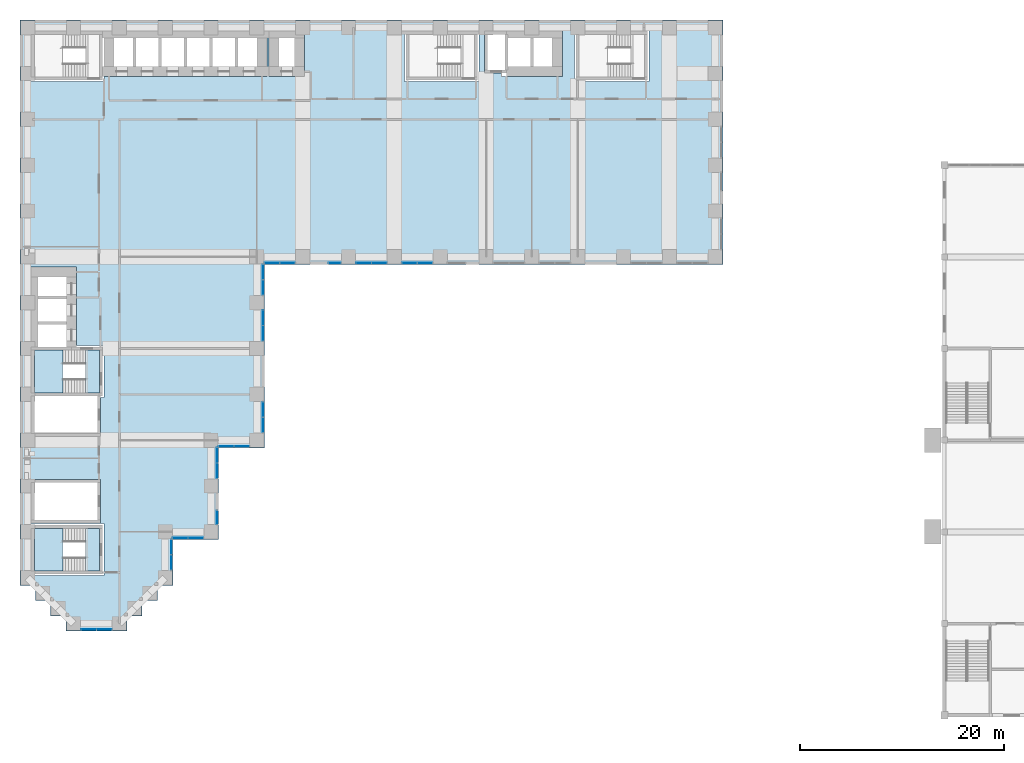
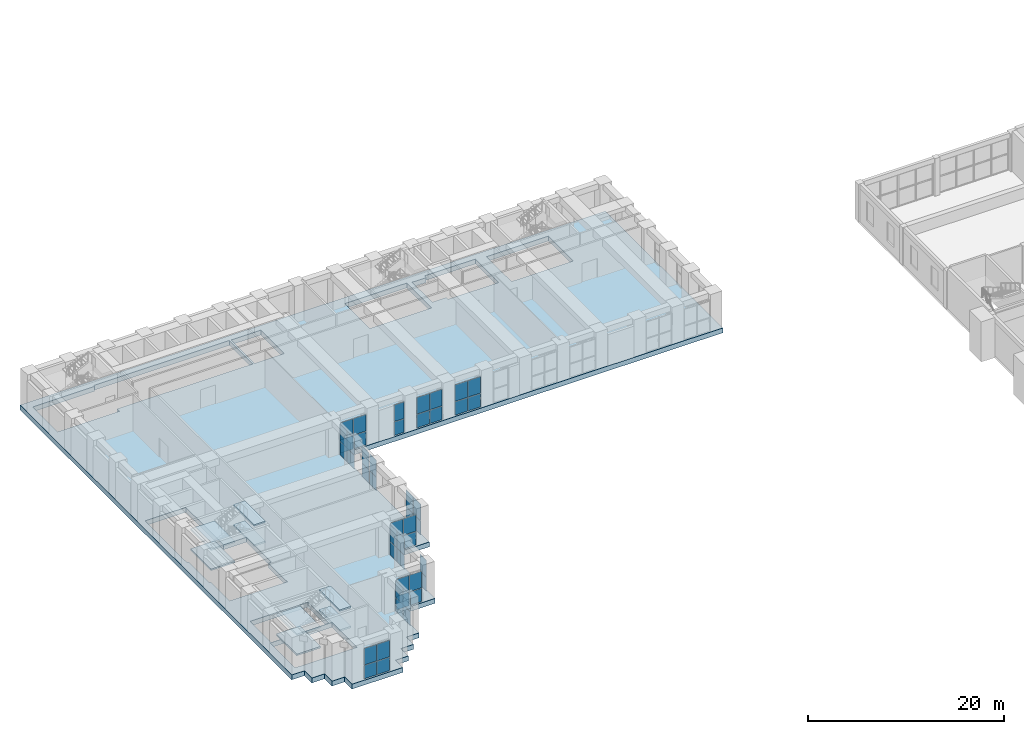
# One storey, part 12 of 30: 48 plates, 9 slabs, 15 elements without a shape of their own.
"""IFC4 building model written with IfcOpenShell, lengths in metres."""

from ifc_helpers import new_model, si_unit, direction, frame, origin, origin_2d, place, context, subcontext, project, spatial, polyline, rectangle, outline, extrude, material, layer, layer_set, type_object, element, aggregate, save


model = new_model("IFC4")

# Units and contexts
model_context = context("Model", 3, precision=1e-05, world=origin(), true_north=direction((0.0, 1.0)))
body_context = subcontext(model_context, "Body", "Model", "MODEL_VIEW")
ifc_project = project(units=[si_unit("LENGTHUNIT", "METRE"), si_unit("AREAUNIT", "SQUARE_METRE"), si_unit("VOLUMEUNIT", "CUBIC_METRE"), si_unit("PLANEANGLEUNIT", "RADIAN"), si_unit("MASSUNIT", "GRAM", prefix="KILO")], contexts=[model_context])

# Site, building, storey
site_placement = place(None, origin())
site = spatial("IfcSite", under=ifc_project, at=site_placement, CompositionType="ELEMENT")
building_placement = place(site_placement, origin())
building = spatial("IfcBuilding", under=site, at=building_placement, Name="Firuza Court", CompositionType="ELEMENT")
storey_placement = place(building_placement, frame((0.0, 0.0, 9.0)))
storey = spatial("IfcBuildingStorey", under=building, at=storey_placement, Name="L01", CompositionType="ELEMENT", Elevation=9.0)

# Slab
ifc_material_1 = material(Name="Concrete C40/50", Category="concrete")
ifc_layer_1 = layer(ifc_material_1, 0.60009765625)
ifc_layer_set_1 = layer_set([ifc_layer_1], Name="Concrete C40/50")
slab_type_1 = type_object("IfcSlabType", Name="Floor slab 600 C40/50", PredefinedType="FLOOR", material=ifc_layer_set_1)
slab_1_placement = place(storey_placement, frame((0.0, 0.0, -0.60009765625)))
element("IfcSlab", 1, at=slab_1_placement, inside=storey, type_object=slab_type_1, Name="Floor slab L01", PredefinedType="FLOOR", context=body_context, shape_type="SweptSolid", body=[
    extrude(outline(polyline([(3.75, -0.75), (3.75, 0.75), (2.25, 0.75), (2.25, 2.25), (0.75, 2.25), (0.75, 3.75), (-0.75, 3.75), (-0.75, 59.25), (68.25, 59.25), (68.25, 35.25), (23.25, 35.25), (23.25, 17.25), (18.75, 17.25), (18.75, 8.25), (14.25, 8.25), (14.25, 3.75), (12.75, 3.75), (12.75, 2.25), (11.25, 2.25), (11.25, 0.75), (9.75, 0.75), (9.75, -0.75), (3.75, -0.75)]), holes=[polyline([(7.5, 9.800048828125), (0.199951171875, 9.800048828125), (0.199951171875, 4.699951171875), (7.5, 4.699951171875), (7.5, 9.800048828125)]), polyline([(7.14990234375, 14.14990234375), (0.35009765625, 14.14990234375), (0.35009765625, 9.85009765625), (7.14990234375, 9.85009765625), (7.14990234375, 14.14990234375)]), polyline([(0.199951171875, 22.199951171875), (0.35009765625, 22.199951171875), (0.35009765625, 18.35009765625), (7.14990234375, 18.35009765625), (7.14990234375, 22.199951171875), (7.5, 22.199951171875), (7.5, 27.300048828125), (4.800048828125, 27.300048828125), (4.800048828125, 29.0), (4.800048828125, 30.0), (4.800048828125, 31.5), (4.800048828125, 32.5), (4.800048828125, 35.0), (0.0, 35.0), (0.0, 32.5), (0.0, 31.5), (0.0, 30.0), (0.0, 29.0), (0.0, 26.5), (0.199951171875, 26.5), (0.199951171875, 22.199951171875)]), polyline([(7.5, 58.300048828125), (0.199951171875, 58.300048828125), (0.199951171875, 53.199951171875), (7.5, 53.199951171875), (7.5, 53.699951171875), (10.0, 53.699951171875), (11.0, 53.699951171875), (12.5, 53.699951171875), (13.5, 53.699951171875), (15.0, 53.699951171875), (16.0, 53.699951171875), (17.5, 53.699951171875), (18.5, 53.699951171875), (20.0, 53.699951171875), (21.0, 53.699951171875), (23.5, 53.699951171875), (23.5, 58.5), (21.0, 58.5), (20.0, 58.5), (18.5, 58.5), (17.5, 58.5), (16.0, 58.5), (15.0, 58.5), (13.5, 58.5), (12.5, 58.5), (11.0, 58.5), (10.0, 58.5), (7.5, 58.5), (7.5, 58.300048828125)]), polyline([(44.300048828125, 58.300048828125), (37.0, 58.300048828125), (37.0, 53.199951171875), (44.300048828125, 53.199951171875), (44.300048828125, 58.300048828125)]), polyline([(61.0, 58.300048828125), (53.699951171875, 58.300048828125), (53.699951171875, 53.199951171875), (61.0, 53.199951171875), (61.0, 58.300048828125)]), polyline([(27.199951171875, 58.5), (23.699951171875, 58.5), (23.699951171875, 53.699951171875), (27.199951171875, 53.699951171875), (27.199951171875, 58.5)]), polyline([(46.5, 58.14990234375), (44.85009765625, 58.14990234375), (44.85009765625, 54.050048828125), (46.5, 54.050048828125), (46.5, 53.699951171875), (49.0, 53.699951171875), (50.0, 53.699951171875), (52.5, 53.699951171875), (52.5, 58.5), (50.0, 58.5), (49.0, 58.5), (46.5, 58.5), (46.5, 58.14990234375)])]), origin(), (0.0, 0.0, 1.0), 0.60009765625),
])

# Curtain wall, plates
ifc_material_2 = material(Name="Aluminium curtain wall, triple clear glazing", Category="aluminium")
curtain_wall_type = type_object("IfcCurtainWallType", Name="Podium unitised curtain wall CW1", PredefinedType="NOTDEFINED", material=ifc_material_2)
curtain_wall_1_placement = place(storey_placement, origin())
curtain_wall_1 = element("IfcCurtainWall", 2, at=curtain_wall_1_placement, inside=storey, type_object=curtain_wall_type, Name="Podium unitised curtain wall CW1 L01", PredefinedType="NOTDEFINED")
ifc_material_3 = material(Name="Triple clear glazing", Category="glass")
ifc_layer_2 = layer(ifc_material_3, 0.031982421875)
ifc_layer_set_2 = layer_set([ifc_layer_2], Name="Triple clear glazing")
plate_type = type_object("IfcPlateType", Name="Glazed panel 32 CW1", PredefinedType="CURTAIN_PANEL", material=ifc_layer_set_2)
plate_1_placement = place(storey_placement, frame((14.10009765625, 5.989990234375, 0.06005859375), z_axis=(0.0, 0.0, 1.0), x_axis=(0.0, 1.0, 0.0)))
plate_1 = element("IfcPlate", 3, at=plate_1_placement, type_object=plate_type, Name="CW1 panel 1.1", PredefinedType="CURTAIN_PANEL", context=body_context, shape_type="SweptSolid", body=[
    extrude(rectangle(XDim=1.4599609375, YDim=0.031982421875, at=origin_2d()), origin(), (0.0, 0.0, 1.0), 1.6650390625),
])
plate_2_placement = place(storey_placement, frame((14.10009765625, 5.989990234375, 1.78515625), z_axis=(0.0, 0.0, 1.0), x_axis=(0.0, 1.0, 0.0)))
plate_2 = element("IfcPlate", 4, at=plate_2_placement, type_object=plate_type, Name="CW1 panel 1.2", PredefinedType="CURTAIN_PANEL", context=body_context, shape_type="SweptSolid", body=[
    extrude(rectangle(XDim=1.4599609375, YDim=0.031982421875, at=origin_2d()), origin(), (0.0, 0.0, 1.0), 2.054931640625),
])
plate_3_placement = place(storey_placement, frame((14.10009765625, 7.510009765625, 0.06005859375), z_axis=(0.0, 0.0, 1.0), x_axis=(0.0, 1.0, 0.0)))
plate_3 = element("IfcPlate", 5, at=plate_3_placement, type_object=plate_type, Name="CW1 panel 2.1", PredefinedType="CURTAIN_PANEL", context=body_context, shape_type="SweptSolid", body=[
    extrude(rectangle(XDim=1.4599609375, YDim=0.031982421875, at=origin_2d()), origin(), (0.0, 0.0, 1.0), 1.6650390625),
])
plate_4_placement = place(storey_placement, frame((14.10009765625, 7.510009765625, 1.78515625), z_axis=(0.0, 0.0, 1.0), x_axis=(0.0, 1.0, 0.0)))
plate_4 = element("IfcPlate", 6, at=plate_4_placement, type_object=plate_type, Name="CW1 panel 2.2", PredefinedType="CURTAIN_PANEL", context=body_context, shape_type="SweptSolid", body=[
    extrude(rectangle(XDim=1.4599609375, YDim=0.031982421875, at=origin_2d()), origin(), (0.0, 0.0, 1.0), 2.054931640625),
])
aggregate(curtain_wall_1, [plate_1, plate_2, plate_3, plate_4])

curtain_wall_2_placement = place(storey_placement, origin())
curtain_wall_2 = element("IfcCurtainWall", 7, at=curtain_wall_2_placement, inside=storey, type_object=curtain_wall_type, Name="Podium unitised curtain wall CW1 L01", PredefinedType="NOTDEFINED")
plate_5_placement = place(storey_placement, frame((14.989990234375, 8.39990234375, 0.06005859375), z_axis=(0.0, 0.0, 1.0), x_axis=(1.0, 0.0, 0.0)))
plate_5 = element("IfcPlate", 8, at=plate_5_placement, type_object=plate_type, Name="CW1 panel 1.1", PredefinedType="CURTAIN_PANEL", context=body_context, shape_type="SweptSolid", body=[
    extrude(rectangle(XDim=1.4599609375, YDim=0.031982421875, at=origin_2d()), origin(), (0.0, 0.0, 1.0), 1.6650390625),
])
plate_6_placement = place(storey_placement, frame((14.989990234375, 8.39990234375, 1.78515625), z_axis=(0.0, 0.0, 1.0), x_axis=(1.0, 0.0, 0.0)))
plate_6 = element("IfcPlate", 9, at=plate_6_placement, type_object=plate_type, Name="CW1 panel 1.2", PredefinedType="CURTAIN_PANEL", context=body_context, shape_type="SweptSolid", body=[
    extrude(rectangle(XDim=1.4599609375, YDim=0.031982421875, at=origin_2d()), origin(), (0.0, 0.0, 1.0), 2.054931640625),
])
plate_7_placement = place(storey_placement, frame((16.510009765625, 8.39990234375, 0.06005859375), z_axis=(0.0, 0.0, 1.0), x_axis=(1.0, 0.0, 0.0)))
plate_7 = element("IfcPlate", 10, at=plate_7_placement, type_object=plate_type, Name="CW1 panel 2.1", PredefinedType="CURTAIN_PANEL", context=body_context, shape_type="SweptSolid", body=[
    extrude(rectangle(XDim=1.4599609375, YDim=0.031982421875, at=origin_2d()), origin(), (0.0, 0.0, 1.0), 1.6650390625),
])
plate_8_placement = place(storey_placement, frame((16.510009765625, 8.39990234375, 1.78515625), z_axis=(0.0, 0.0, 1.0), x_axis=(1.0, 0.0, 0.0)))
plate_8 = element("IfcPlate", 11, at=plate_8_placement, type_object=plate_type, Name="CW1 panel 2.2", PredefinedType="CURTAIN_PANEL", context=body_context, shape_type="SweptSolid", body=[
    extrude(rectangle(XDim=1.4599609375, YDim=0.031982421875, at=origin_2d()), origin(), (0.0, 0.0, 1.0), 2.054931640625),
])
aggregate(curtain_wall_2, [plate_5, plate_6, plate_7, plate_8])

curtain_wall_3_placement = place(storey_placement, origin())
curtain_wall_3 = element("IfcCurtainWall", 12, at=curtain_wall_3_placement, inside=storey, type_object=curtain_wall_type, Name="Podium unitised curtain wall CW1 L01", PredefinedType="NOTDEFINED")
plate_9_placement = place(storey_placement, frame((18.60009765625, 10.423828125, 0.06005859375), z_axis=(0.0, 0.0, 1.0), x_axis=(0.0, 1.0, 0.0)))
plate_9 = element("IfcPlate", 13, at=plate_9_placement, type_object=plate_type, Name="CW1 panel 1.1", PredefinedType="CURTAIN_PANEL", context=body_context, shape_type="SweptSolid", body=[
    extrude(rectangle(XDim=1.32763671875, YDim=0.031982421875, at=origin_2d()), origin(), (0.0, 0.0, 1.0), 1.6650390625),
])
plate_10_placement = place(storey_placement, frame((18.60009765625, 10.423828125, 1.78515625), z_axis=(0.0, 0.0, 1.0), x_axis=(0.0, 1.0, 0.0)))
plate_10 = element("IfcPlate", 14, at=plate_10_placement, type_object=plate_type, Name="CW1 panel 1.2", PredefinedType="CURTAIN_PANEL", context=body_context, shape_type="SweptSolid", body=[
    extrude(rectangle(XDim=1.32763671875, YDim=0.031982421875, at=origin_2d()), origin(), (0.0, 0.0, 1.0), 2.054931640625),
])
aggregate(curtain_wall_3, [plate_9, plate_10])

curtain_wall_4_placement = place(storey_placement, origin())
curtain_wall_4 = element("IfcCurtainWall", 15, at=curtain_wall_4_placement, inside=storey, type_object=curtain_wall_type, Name="Podium unitised curtain wall CW1 L01", PredefinedType="NOTDEFINED")
plate_11_placement = place(storey_placement, frame((18.60009765625, 14.989990234375, 0.06005859375), z_axis=(0.0, 0.0, 1.0), x_axis=(0.0, 1.0, 0.0)))
plate_11 = element("IfcPlate", 16, at=plate_11_placement, type_object=plate_type, Name="CW1 panel 1.1", PredefinedType="CURTAIN_PANEL", context=body_context, shape_type="SweptSolid", body=[
    extrude(rectangle(XDim=1.4599609375, YDim=0.031982421875, at=origin_2d()), origin(), (0.0, 0.0, 1.0), 1.6650390625),
])
plate_12_placement = place(storey_placement, frame((18.60009765625, 14.989990234375, 1.78515625), z_axis=(0.0, 0.0, 1.0), x_axis=(0.0, 1.0, 0.0)))
plate_12 = element("IfcPlate", 17, at=plate_12_placement, type_object=plate_type, Name="CW1 panel 1.2", PredefinedType="CURTAIN_PANEL", context=body_context, shape_type="SweptSolid", body=[
    extrude(rectangle(XDim=1.4599609375, YDim=0.031982421875, at=origin_2d()), origin(), (0.0, 0.0, 1.0), 2.054931640625),
])
plate_13_placement = place(storey_placement, frame((18.60009765625, 16.510009765625, 0.06005859375), z_axis=(0.0, 0.0, 1.0), x_axis=(0.0, 1.0, 0.0)))
plate_13 = element("IfcPlate", 18, at=plate_13_placement, type_object=plate_type, Name="CW1 panel 2.1", PredefinedType="CURTAIN_PANEL", context=body_context, shape_type="SweptSolid", body=[
    extrude(rectangle(XDim=1.4599609375, YDim=0.031982421875, at=origin_2d()), origin(), (0.0, 0.0, 1.0), 1.6650390625),
])
plate_14_placement = place(storey_placement, frame((18.60009765625, 16.510009765625, 1.78515625), z_axis=(0.0, 0.0, 1.0), x_axis=(0.0, 1.0, 0.0)))
plate_14 = element("IfcPlate", 19, at=plate_14_placement, type_object=plate_type, Name="CW1 panel 2.2", PredefinedType="CURTAIN_PANEL", context=body_context, shape_type="SweptSolid", body=[
    extrude(rectangle(XDim=1.4599609375, YDim=0.031982421875, at=origin_2d()), origin(), (0.0, 0.0, 1.0), 2.054931640625),
])
aggregate(curtain_wall_4, [plate_11, plate_12, plate_13, plate_14])

curtain_wall_5_placement = place(storey_placement, origin())
curtain_wall_5 = element("IfcCurtainWall", 20, at=curtain_wall_5_placement, inside=storey, type_object=curtain_wall_type, Name="Podium unitised curtain wall CW1 L01", PredefinedType="NOTDEFINED")
plate_15_placement = place(storey_placement, frame((19.489990234375, 17.39990234375, 0.06005859375), z_axis=(0.0, 0.0, 1.0), x_axis=(1.0, 0.0, 0.0)))
plate_15 = element("IfcPlate", 21, at=plate_15_placement, type_object=plate_type, Name="CW1 panel 1.1", PredefinedType="CURTAIN_PANEL", context=body_context, shape_type="SweptSolid", body=[
    extrude(rectangle(XDim=1.4599609375, YDim=0.031982421875, at=origin_2d()), origin(), (0.0, 0.0, 1.0), 1.6650390625),
])
plate_16_placement = place(storey_placement, frame((19.489990234375, 17.39990234375, 1.78515625), z_axis=(0.0, 0.0, 1.0), x_axis=(1.0, 0.0, 0.0)))
plate_16 = element("IfcPlate", 22, at=plate_16_placement, type_object=plate_type, Name="CW1 panel 1.2", PredefinedType="CURTAIN_PANEL", context=body_context, shape_type="SweptSolid", body=[
    extrude(rectangle(XDim=1.4599609375, YDim=0.031982421875, at=origin_2d()), origin(), (0.0, 0.0, 1.0), 2.054931640625),
])
plate_17_placement = place(storey_placement, frame((21.010009765625, 17.39990234375, 0.06005859375), z_axis=(0.0, 0.0, 1.0), x_axis=(1.0, 0.0, 0.0)))
plate_17 = element("IfcPlate", 23, at=plate_17_placement, type_object=plate_type, Name="CW1 panel 2.1", PredefinedType="CURTAIN_PANEL", context=body_context, shape_type="SweptSolid", body=[
    extrude(rectangle(XDim=1.4599609375, YDim=0.031982421875, at=origin_2d()), origin(), (0.0, 0.0, 1.0), 1.6650390625),
])
plate_18_placement = place(storey_placement, frame((21.010009765625, 17.39990234375, 1.78515625), z_axis=(0.0, 0.0, 1.0), x_axis=(1.0, 0.0, 0.0)))
plate_18 = element("IfcPlate", 24, at=plate_18_placement, type_object=plate_type, Name="CW1 panel 2.2", PredefinedType="CURTAIN_PANEL", context=body_context, shape_type="SweptSolid", body=[
    extrude(rectangle(XDim=1.4599609375, YDim=0.031982421875, at=origin_2d()), origin(), (0.0, 0.0, 1.0), 2.054931640625),
])
aggregate(curtain_wall_5, [plate_15, plate_16, plate_17, plate_18])

curtain_wall_6_placement = place(storey_placement, origin())
curtain_wall_6 = element("IfcCurtainWall", 25, at=curtain_wall_6_placement, inside=storey, type_object=curtain_wall_type, Name="Podium unitised curtain wall CW1 L01", PredefinedType="NOTDEFINED")
plate_19_placement = place(storey_placement, frame((23.10009765625, 19.489990234375, 0.06005859375), z_axis=(0.0, 0.0, 1.0), x_axis=(0.0, 1.0, 0.0)))
plate_19 = element("IfcPlate", 26, at=plate_19_placement, type_object=plate_type, Name="CW1 panel 1.1", PredefinedType="CURTAIN_PANEL", context=body_context, shape_type="SweptSolid", body=[
    extrude(rectangle(XDim=1.4599609375, YDim=0.031982421875, at=origin_2d()), origin(), (0.0, 0.0, 1.0), 1.6650390625),
])
plate_20_placement = place(storey_placement, frame((23.10009765625, 19.489990234375, 1.78515625), z_axis=(0.0, 0.0, 1.0), x_axis=(0.0, 1.0, 0.0)))
plate_20 = element("IfcPlate", 27, at=plate_20_placement, type_object=plate_type, Name="CW1 panel 1.2", PredefinedType="CURTAIN_PANEL", context=body_context, shape_type="SweptSolid", body=[
    extrude(rectangle(XDim=1.4599609375, YDim=0.031982421875, at=origin_2d()), origin(), (0.0, 0.0, 1.0), 2.054931640625),
])
plate_21_placement = place(storey_placement, frame((23.10009765625, 21.010009765625, 0.06005859375), z_axis=(0.0, 0.0, 1.0), x_axis=(0.0, 1.0, 0.0)))
plate_21 = element("IfcPlate", 28, at=plate_21_placement, type_object=plate_type, Name="CW1 panel 2.1", PredefinedType="CURTAIN_PANEL", context=body_context, shape_type="SweptSolid", body=[
    extrude(rectangle(XDim=1.4599609375, YDim=0.031982421875, at=origin_2d()), origin(), (0.0, 0.0, 1.0), 1.6650390625),
])
plate_22_placement = place(storey_placement, frame((23.10009765625, 21.010009765625, 1.78515625), z_axis=(0.0, 0.0, 1.0), x_axis=(0.0, 1.0, 0.0)))
plate_22 = element("IfcPlate", 29, at=plate_22_placement, type_object=plate_type, Name="CW1 panel 2.2", PredefinedType="CURTAIN_PANEL", context=body_context, shape_type="SweptSolid", body=[
    extrude(rectangle(XDim=1.4599609375, YDim=0.031982421875, at=origin_2d()), origin(), (0.0, 0.0, 1.0), 2.054931640625),
])
aggregate(curtain_wall_6, [plate_19, plate_20, plate_21, plate_22])

curtain_wall_7_placement = place(storey_placement, origin())
curtain_wall_7 = element("IfcCurtainWall", 30, at=curtain_wall_7_placement, inside=storey, type_object=curtain_wall_type, Name="Podium unitised curtain wall CW1 L01", PredefinedType="NOTDEFINED")
plate_23_placement = place(storey_placement, frame((23.10009765625, 28.489990234375, 0.06005859375), z_axis=(0.0, 0.0, 1.0), x_axis=(0.0, 1.0, 0.0)))
plate_23 = element("IfcPlate", 31, at=plate_23_placement, type_object=plate_type, Name="CW1 panel 1.1", PredefinedType="CURTAIN_PANEL", context=body_context, shape_type="SweptSolid", body=[
    extrude(rectangle(XDim=1.4599609375, YDim=0.031982421875, at=origin_2d()), origin(), (0.0, 0.0, 1.0), 1.6650390625),
])
plate_24_placement = place(storey_placement, frame((23.10009765625, 28.489990234375, 1.78515625), z_axis=(0.0, 0.0, 1.0), x_axis=(0.0, 1.0, 0.0)))
plate_24 = element("IfcPlate", 32, at=plate_24_placement, type_object=plate_type, Name="CW1 panel 1.2", PredefinedType="CURTAIN_PANEL", context=body_context, shape_type="SweptSolid", body=[
    extrude(rectangle(XDim=1.4599609375, YDim=0.031982421875, at=origin_2d()), origin(), (0.0, 0.0, 1.0), 2.054931640625),
])
plate_25_placement = place(storey_placement, frame((23.10009765625, 30.010009765625, 0.06005859375), z_axis=(0.0, 0.0, 1.0), x_axis=(0.0, 1.0, 0.0)))
plate_25 = element("IfcPlate", 33, at=plate_25_placement, type_object=plate_type, Name="CW1 panel 2.1", PredefinedType="CURTAIN_PANEL", context=body_context, shape_type="SweptSolid", body=[
    extrude(rectangle(XDim=1.4599609375, YDim=0.031982421875, at=origin_2d()), origin(), (0.0, 0.0, 1.0), 1.6650390625),
])
plate_26_placement = place(storey_placement, frame((23.10009765625, 30.010009765625, 1.78515625), z_axis=(0.0, 0.0, 1.0), x_axis=(0.0, 1.0, 0.0)))
plate_26 = element("IfcPlate", 34, at=plate_26_placement, type_object=plate_type, Name="CW1 panel 2.2", PredefinedType="CURTAIN_PANEL", context=body_context, shape_type="SweptSolid", body=[
    extrude(rectangle(XDim=1.4599609375, YDim=0.031982421875, at=origin_2d()), origin(), (0.0, 0.0, 1.0), 2.054931640625),
])
aggregate(curtain_wall_7, [plate_23, plate_24, plate_25, plate_26])

curtain_wall_8_placement = place(storey_placement, origin())
curtain_wall_8 = element("IfcCurtainWall", 35, at=curtain_wall_8_placement, inside=storey, type_object=curtain_wall_type, Name="Podium unitised curtain wall CW1 L01", PredefinedType="NOTDEFINED")
plate_27_placement = place(storey_placement, frame((23.10009765625, 32.989990234375, 0.06005859375), z_axis=(0.0, 0.0, 1.0), x_axis=(0.0, 1.0, 0.0)))
plate_27 = element("IfcPlate", 36, at=plate_27_placement, type_object=plate_type, Name="CW1 panel 1.1", PredefinedType="CURTAIN_PANEL", context=body_context, shape_type="SweptSolid", body=[
    extrude(rectangle(XDim=1.4599609375, YDim=0.031982421875, at=origin_2d()), origin(), (0.0, 0.0, 1.0), 1.6650390625),
])
plate_28_placement = place(storey_placement, frame((23.10009765625, 32.989990234375, 1.78515625), z_axis=(0.0, 0.0, 1.0), x_axis=(0.0, 1.0, 0.0)))
plate_28 = element("IfcPlate", 37, at=plate_28_placement, type_object=plate_type, Name="CW1 panel 1.2", PredefinedType="CURTAIN_PANEL", context=body_context, shape_type="SweptSolid", body=[
    extrude(rectangle(XDim=1.4599609375, YDim=0.031982421875, at=origin_2d()), origin(), (0.0, 0.0, 1.0), 2.054931640625),
])
plate_29_placement = place(storey_placement, frame((23.10009765625, 34.510009765625, 0.06005859375), z_axis=(0.0, 0.0, 1.0), x_axis=(0.0, 1.0, 0.0)))
plate_29 = element("IfcPlate", 38, at=plate_29_placement, type_object=plate_type, Name="CW1 panel 2.1", PredefinedType="CURTAIN_PANEL", context=body_context, shape_type="SweptSolid", body=[
    extrude(rectangle(XDim=1.4599609375, YDim=0.031982421875, at=origin_2d()), origin(), (0.0, 0.0, 1.0), 1.6650390625),
])
plate_30_placement = place(storey_placement, frame((23.10009765625, 34.510009765625, 1.78515625), z_axis=(0.0, 0.0, 1.0), x_axis=(0.0, 1.0, 0.0)))
plate_30 = element("IfcPlate", 39, at=plate_30_placement, type_object=plate_type, Name="CW1 panel 2.2", PredefinedType="CURTAIN_PANEL", context=body_context, shape_type="SweptSolid", body=[
    extrude(rectangle(XDim=1.4599609375, YDim=0.031982421875, at=origin_2d()), origin(), (0.0, 0.0, 1.0), 2.054931640625),
])
aggregate(curtain_wall_8, [plate_27, plate_28, plate_29, plate_30])

curtain_wall_9_placement = place(storey_placement, origin())
curtain_wall_9 = element("IfcCurtainWall", 40, at=curtain_wall_9_placement, inside=storey, type_object=curtain_wall_type, Name="Podium unitised curtain wall CW1 L01", PredefinedType="NOTDEFINED")
plate_31_placement = place(storey_placement, frame((23.989990234375, 35.39990234375, 0.06005859375), z_axis=(0.0, 0.0, 1.0), x_axis=(1.0, 0.0, 0.0)))
plate_31 = element("IfcPlate", 41, at=plate_31_placement, type_object=plate_type, Name="CW1 panel 1.1", PredefinedType="CURTAIN_PANEL", context=body_context, shape_type="SweptSolid", body=[
    extrude(rectangle(XDim=1.4599609375, YDim=0.031982421875, at=origin_2d()), origin(), (0.0, 0.0, 1.0), 1.6650390625),
])
plate_32_placement = place(storey_placement, frame((23.989990234375, 35.39990234375, 1.78515625), z_axis=(0.0, 0.0, 1.0), x_axis=(1.0, 0.0, 0.0)))
plate_32 = element("IfcPlate", 42, at=plate_32_placement, type_object=plate_type, Name="CW1 panel 1.2", PredefinedType="CURTAIN_PANEL", context=body_context, shape_type="SweptSolid", body=[
    extrude(rectangle(XDim=1.4599609375, YDim=0.031982421875, at=origin_2d()), origin(), (0.0, 0.0, 1.0), 2.054931640625),
])
plate_33_placement = place(storey_placement, frame((25.510009765625, 35.39990234375, 0.06005859375), z_axis=(0.0, 0.0, 1.0), x_axis=(1.0, 0.0, 0.0)))
plate_33 = element("IfcPlate", 43, at=plate_33_placement, type_object=plate_type, Name="CW1 panel 2.1", PredefinedType="CURTAIN_PANEL", context=body_context, shape_type="SweptSolid", body=[
    extrude(rectangle(XDim=1.4599609375, YDim=0.031982421875, at=origin_2d()), origin(), (0.0, 0.0, 1.0), 1.6650390625),
])
plate_34_placement = place(storey_placement, frame((25.510009765625, 35.39990234375, 1.78515625), z_axis=(0.0, 0.0, 1.0), x_axis=(1.0, 0.0, 0.0)))
plate_34 = element("IfcPlate", 44, at=plate_34_placement, type_object=plate_type, Name="CW1 panel 2.2", PredefinedType="CURTAIN_PANEL", context=body_context, shape_type="SweptSolid", body=[
    extrude(rectangle(XDim=1.4599609375, YDim=0.031982421875, at=origin_2d()), origin(), (0.0, 0.0, 1.0), 2.054931640625),
])
aggregate(curtain_wall_9, [plate_31, plate_32, plate_33, plate_34])

curtain_wall_10_placement = place(storey_placement, origin())
curtain_wall_10 = element("IfcCurtainWall", 45, at=curtain_wall_10_placement, inside=storey, type_object=curtain_wall_type, Name="Podium unitised curtain wall CW1 L01", PredefinedType="NOTDEFINED")
plate_35_placement = place(storey_placement, frame((30.158447265625, 35.39990234375, 0.06005859375), z_axis=(0.0, 0.0, 1.0), x_axis=(1.0, 0.0, 0.0)))
plate_35 = element("IfcPlate", 46, at=plate_35_placement, type_object=plate_type, Name="CW1 panel 1.1", PredefinedType="CURTAIN_PANEL", context=body_context, shape_type="SweptSolid", body=[
    extrude(rectangle(XDim=1.1630859375, YDim=0.031982421875, at=origin_2d()), origin(), (0.0, 0.0, 1.0), 1.6650390625),
])
plate_36_placement = place(storey_placement, frame((30.158447265625, 35.39990234375, 1.78515625), z_axis=(0.0, 0.0, 1.0), x_axis=(1.0, 0.0, 0.0)))
plate_36 = element("IfcPlate", 47, at=plate_36_placement, type_object=plate_type, Name="CW1 panel 1.2", PredefinedType="CURTAIN_PANEL", context=body_context, shape_type="SweptSolid", body=[
    extrude(rectangle(XDim=1.1630859375, YDim=0.031982421875, at=origin_2d()), origin(), (0.0, 0.0, 1.0), 2.054931640625),
])
aggregate(curtain_wall_10, [plate_35, plate_36])

curtain_wall_11_placement = place(storey_placement, origin())
curtain_wall_11 = element("IfcCurtainWall", 48, at=curtain_wall_11_placement, inside=storey, type_object=curtain_wall_type, Name="Podium unitised curtain wall CW1 L01", PredefinedType="NOTDEFINED")
plate_37_placement = place(storey_placement, frame((32.989990234375, 35.39990234375, 0.06005859375), z_axis=(0.0, 0.0, 1.0), x_axis=(1.0, 0.0, 0.0)))
plate_37 = element("IfcPlate", 49, at=plate_37_placement, type_object=plate_type, Name="CW1 panel 1.1", PredefinedType="CURTAIN_PANEL", context=body_context, shape_type="SweptSolid", body=[
    extrude(rectangle(XDim=1.4599609375, YDim=0.031982421875, at=origin_2d()), origin(), (0.0, 0.0, 1.0), 1.6650390625),
])
plate_38_placement = place(storey_placement, frame((32.989990234375, 35.39990234375, 1.78515625), z_axis=(0.0, 0.0, 1.0), x_axis=(1.0, 0.0, 0.0)))
plate_38 = element("IfcPlate", 50, at=plate_38_placement, type_object=plate_type, Name="CW1 panel 1.2", PredefinedType="CURTAIN_PANEL", context=body_context, shape_type="SweptSolid", body=[
    extrude(rectangle(XDim=1.4599609375, YDim=0.031982421875, at=origin_2d()), origin(), (0.0, 0.0, 1.0), 2.054931640625),
])
plate_39_placement = place(storey_placement, frame((34.510009765625, 35.39990234375, 0.06005859375), z_axis=(0.0, 0.0, 1.0), x_axis=(1.0, 0.0, 0.0)))
plate_39 = element("IfcPlate", 51, at=plate_39_placement, type_object=plate_type, Name="CW1 panel 2.1", PredefinedType="CURTAIN_PANEL", context=body_context, shape_type="SweptSolid", body=[
    extrude(rectangle(XDim=1.4599609375, YDim=0.031982421875, at=origin_2d()), origin(), (0.0, 0.0, 1.0), 1.6650390625),
])
plate_40_placement = place(storey_placement, frame((34.510009765625, 35.39990234375, 1.78515625), z_axis=(0.0, 0.0, 1.0), x_axis=(1.0, 0.0, 0.0)))
plate_40 = element("IfcPlate", 52, at=plate_40_placement, type_object=plate_type, Name="CW1 panel 2.2", PredefinedType="CURTAIN_PANEL", context=body_context, shape_type="SweptSolid", body=[
    extrude(rectangle(XDim=1.4599609375, YDim=0.031982421875, at=origin_2d()), origin(), (0.0, 0.0, 1.0), 2.054931640625),
])
aggregate(curtain_wall_11, [plate_37, plate_38, plate_39, plate_40])

curtain_wall_12_placement = place(storey_placement, origin())
curtain_wall_12 = element("IfcCurtainWall", 53, at=curtain_wall_12_placement, inside=storey, type_object=curtain_wall_type, Name="Podium unitised curtain wall CW1 L01", PredefinedType="NOTDEFINED")
plate_41_placement = place(storey_placement, frame((37.489990234375, 35.39990234375, 0.06005859375), z_axis=(0.0, 0.0, 1.0), x_axis=(1.0, 0.0, 0.0)))
plate_41 = element("IfcPlate", 54, at=plate_41_placement, type_object=plate_type, Name="CW1 panel 1.1", PredefinedType="CURTAIN_PANEL", context=body_context, shape_type="SweptSolid", body=[
    extrude(rectangle(XDim=1.4599609375, YDim=0.031982421875, at=origin_2d()), origin(), (0.0, 0.0, 1.0), 1.6650390625),
])
plate_42_placement = place(storey_placement, frame((37.489990234375, 35.39990234375, 1.78515625), z_axis=(0.0, 0.0, 1.0), x_axis=(1.0, 0.0, 0.0)))
plate_42 = element("IfcPlate", 55, at=plate_42_placement, type_object=plate_type, Name="CW1 panel 1.2", PredefinedType="CURTAIN_PANEL", context=body_context, shape_type="SweptSolid", body=[
    extrude(rectangle(XDim=1.4599609375, YDim=0.031982421875, at=origin_2d()), origin(), (0.0, 0.0, 1.0), 2.054931640625),
])
plate_43_placement = place(storey_placement, frame((39.010009765625, 35.39990234375, 0.06005859375), z_axis=(0.0, 0.0, 1.0), x_axis=(1.0, 0.0, 0.0)))
plate_43 = element("IfcPlate", 56, at=plate_43_placement, type_object=plate_type, Name="CW1 panel 2.1", PredefinedType="CURTAIN_PANEL", context=body_context, shape_type="SweptSolid", body=[
    extrude(rectangle(XDim=1.4599609375, YDim=0.031982421875, at=origin_2d()), origin(), (0.0, 0.0, 1.0), 1.6650390625),
])
plate_44_placement = place(storey_placement, frame((39.010009765625, 35.39990234375, 1.78515625), z_axis=(0.0, 0.0, 1.0), x_axis=(1.0, 0.0, 0.0)))
plate_44 = element("IfcPlate", 57, at=plate_44_placement, type_object=plate_type, Name="CW1 panel 2.2", PredefinedType="CURTAIN_PANEL", context=body_context, shape_type="SweptSolid", body=[
    extrude(rectangle(XDim=1.4599609375, YDim=0.031982421875, at=origin_2d()), origin(), (0.0, 0.0, 1.0), 2.054931640625),
])
aggregate(curtain_wall_12, [plate_41, plate_42, plate_43, plate_44])

curtain_wall_13_placement = place(storey_placement, origin())
curtain_wall_13 = element("IfcCurtainWall", 58, at=curtain_wall_13_placement, inside=storey, type_object=curtain_wall_type, Name="Podium unitised curtain wall CW1 L01", PredefinedType="NOTDEFINED")
plate_45_placement = place(storey_placement, frame((5.989990234375, -0.60009765625, 0.06005859375), z_axis=(0.0, 0.0, 1.0), x_axis=(1.0, 0.0, 0.0)))
plate_45 = element("IfcPlate", 59, at=plate_45_placement, type_object=plate_type, Name="CW1 panel 1.1", PredefinedType="CURTAIN_PANEL", context=body_context, shape_type="SweptSolid", body=[
    extrude(rectangle(XDim=1.4599609375, YDim=0.031982421875, at=origin_2d()), origin(), (0.0, 0.0, 1.0), 1.6650390625),
])
plate_46_placement = place(storey_placement, frame((5.989990234375, -0.60009765625, 1.78515625), z_axis=(0.0, 0.0, 1.0), x_axis=(1.0, 0.0, 0.0)))
plate_46 = element("IfcPlate", 60, at=plate_46_placement, type_object=plate_type, Name="CW1 panel 1.2", PredefinedType="CURTAIN_PANEL", context=body_context, shape_type="SweptSolid", body=[
    extrude(rectangle(XDim=1.4599609375, YDim=0.031982421875, at=origin_2d()), origin(), (0.0, 0.0, 1.0), 2.054931640625),
])
plate_47_placement = place(storey_placement, frame((7.510009765625, -0.60009765625, 0.06005859375), z_axis=(0.0, 0.0, 1.0), x_axis=(1.0, 0.0, 0.0)))
plate_47 = element("IfcPlate", 61, at=plate_47_placement, type_object=plate_type, Name="CW1 panel 2.1", PredefinedType="CURTAIN_PANEL", context=body_context, shape_type="SweptSolid", body=[
    extrude(rectangle(XDim=1.4599609375, YDim=0.031982421875, at=origin_2d()), origin(), (0.0, 0.0, 1.0), 1.6650390625),
])
plate_48_placement = place(storey_placement, frame((7.510009765625, -0.60009765625, 1.78515625), z_axis=(0.0, 0.0, 1.0), x_axis=(1.0, 0.0, 0.0)))
plate_48 = element("IfcPlate", 62, at=plate_48_placement, type_object=plate_type, Name="CW1 panel 2.2", PredefinedType="CURTAIN_PANEL", context=body_context, shape_type="SweptSolid", body=[
    extrude(rectangle(XDim=1.4599609375, YDim=0.031982421875, at=origin_2d()), origin(), (0.0, 0.0, 1.0), 2.054931640625),
])
aggregate(curtain_wall_13, [plate_45, plate_46, plate_47, plate_48])

# Stair, slabs
ifc_material_4 = material(Name="Concrete C40/50 precast", Category="concrete")
stair_type = type_object("IfcStairType", Name="Stair 1350 x 5000 4 flights", PredefinedType="QUARTER_TURN_STAIR", material=ifc_material_4)
stair_1_placement = place(storey_placement, origin())
stair_1 = element("IfcStair", 63, at=stair_1_placement, inside=storey, type_object=stair_type, Name="Stair 2 L01", PredefinedType="QUARTER_TURN_STAIR")
ifc_material_5 = material(Name="Concrete C40/50 precast", Category="concrete")
ifc_layer_3 = layer(ifc_material_5, 0.199951171875)
ifc_layer_set_3 = layer_set([ifc_layer_3], Name="Concrete C40/50 precast")
slab_type_2 = type_object("IfcSlabType", Name="Stair landing 200", PredefinedType="LANDING", material=ifc_layer_set_3)
slab_2_placement = place(storey_placement, frame((0.0, 0.0, 1.050048828125)))
slab_2 = element("IfcSlab", 64, at=slab_2_placement, type_object=slab_type_2, Name="S2 landing 1", PredefinedType="LANDING", context=body_context, shape_type="SweptSolid", body=[
    extrude(outline(polyline([(3.4599609375, 22.64990234375), (3.4599609375, 26.85009765625), (0.64990234375, 26.85009765625), (0.64990234375, 22.64990234375), (3.4599609375, 22.64990234375)])), origin(), (0.0, 0.0, 1.0), 0.199951171875),
])
slab_3_placement = place(storey_placement, frame((0.0, 0.0, 2.300048828125)))
slab_3 = element("IfcSlab", 65, at=slab_3_placement, type_object=slab_type_2, Name="S2 landing 2", PredefinedType="LANDING", context=body_context, shape_type="SweptSolid", body=[
    extrude(outline(polyline([(7.050048828125, 22.64990234375), (7.050048828125, 26.85009765625), (5.699951171875, 26.85009765625), (5.699951171875, 22.64990234375), (7.050048828125, 22.64990234375)])), origin(), (0.0, 0.0, 1.0), 0.199951171875),
])
slab_4_placement = place(storey_placement, frame((0.0, 0.0, 3.550048828125)))
slab_4 = element("IfcSlab", 66, at=slab_4_placement, type_object=slab_type_2, Name="S2 landing 3", PredefinedType="LANDING", context=body_context, shape_type="SweptSolid", body=[
    extrude(outline(polyline([(3.4599609375, 22.64990234375), (3.4599609375, 26.85009765625), (0.64990234375, 26.85009765625), (0.64990234375, 22.64990234375), (3.4599609375, 22.64990234375)])), origin(), (0.0, 0.0, 1.0), 0.199951171875),
])
slab_5_placement = place(storey_placement, frame((0.0, 0.0, 4.800048828125)))
slab_5 = element("IfcSlab", 67, at=slab_5_placement, type_object=slab_type_2, Name="S2 landing 4", PredefinedType="LANDING", context=body_context, shape_type="SweptSolid", body=[
    extrude(outline(polyline([(7.050048828125, 22.64990234375), (7.050048828125, 26.85009765625), (5.699951171875, 26.85009765625), (5.699951171875, 22.64990234375), (7.050048828125, 22.64990234375)])), origin(), (0.0, 0.0, 1.0), 0.199951171875),
])
aggregate(stair_1, [slab_2, slab_3, slab_4, slab_5])

stair_2_placement = place(storey_placement, origin())
stair_2 = element("IfcStair", 68, at=stair_2_placement, inside=storey, type_object=stair_type, Name="Stair 5 L01", PredefinedType="QUARTER_TURN_STAIR")
slab_6_placement = place(storey_placement, frame((0.0, 0.0, 1.050048828125)))
slab_6 = element("IfcSlab", 69, at=slab_6_placement, type_object=slab_type_2, Name="S5 landing 1", PredefinedType="LANDING", context=body_context, shape_type="SweptSolid", body=[
    extrude(outline(polyline([(3.4599609375, 5.14990234375), (3.4599609375, 9.35009765625), (0.64990234375, 9.35009765625), (0.64990234375, 5.14990234375), (3.4599609375, 5.14990234375)])), origin(), (0.0, 0.0, 1.0), 0.199951171875),
])
slab_7_placement = place(storey_placement, frame((0.0, 0.0, 2.300048828125)))
slab_7 = element("IfcSlab", 70, at=slab_7_placement, type_object=slab_type_2, Name="S5 landing 2", PredefinedType="LANDING", context=body_context, shape_type="SweptSolid", body=[
    extrude(outline(polyline([(7.050048828125, 5.14990234375), (7.050048828125, 9.35009765625), (5.699951171875, 9.35009765625), (5.699951171875, 5.14990234375), (7.050048828125, 5.14990234375)])), origin(), (0.0, 0.0, 1.0), 0.199951171875),
])
slab_8_placement = place(storey_placement, frame((0.0, 0.0, 3.550048828125)))
slab_8 = element("IfcSlab", 71, at=slab_8_placement, type_object=slab_type_2, Name="S5 landing 3", PredefinedType="LANDING", context=body_context, shape_type="SweptSolid", body=[
    extrude(outline(polyline([(3.4599609375, 5.14990234375), (3.4599609375, 9.35009765625), (0.64990234375, 9.35009765625), (0.64990234375, 5.14990234375), (3.4599609375, 5.14990234375)])), origin(), (0.0, 0.0, 1.0), 0.199951171875),
])
slab_9_placement = place(storey_placement, frame((0.0, 0.0, 4.800048828125)))
slab_9 = element("IfcSlab", 72, at=slab_9_placement, type_object=slab_type_2, Name="S5 landing 4", PredefinedType="LANDING", context=body_context, shape_type="SweptSolid", body=[
    extrude(outline(polyline([(7.050048828125, 5.14990234375), (7.050048828125, 9.35009765625), (5.699951171875, 9.35009765625), (5.699951171875, 5.14990234375), (7.050048828125, 5.14990234375)])), origin(), (0.0, 0.0, 1.0), 0.199951171875),
])
aggregate(stair_2, [slab_6, slab_7, slab_8, slab_9])

save(model, "model.ifc")
